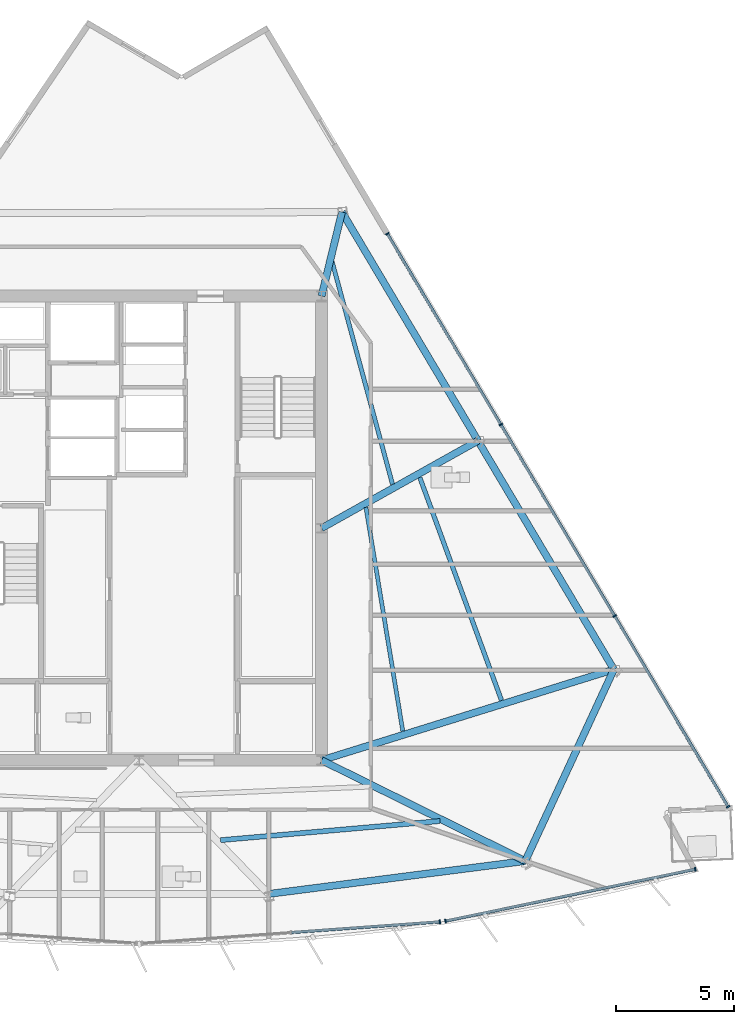
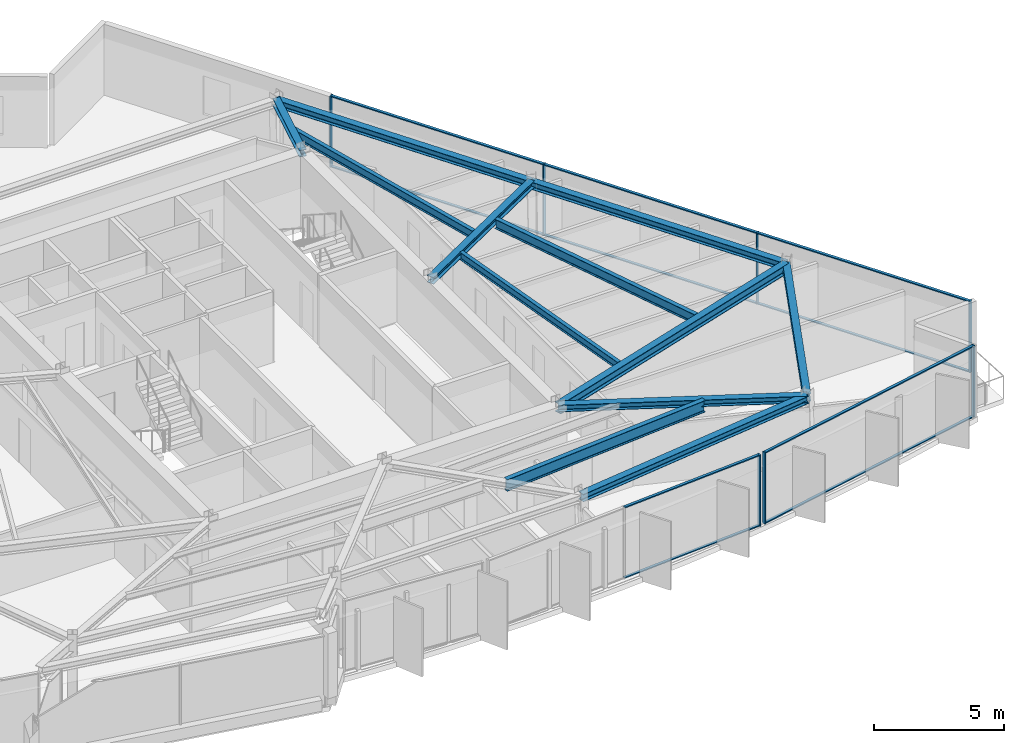
# One storey, part 5 of 14: 17 members, 12 beams, 3 elements without a shape of their own.
"""IFC4 building model written with IfcOpenShell, lengths in metres."""

from ifc_helpers import new_model, si_unit, direction, frame, origin, origin_2d, place, context, subcontext, project, spatial, rectangle, i_section, extrude, material, material_profile, profile_set, type_object, element, aggregate, save


model = new_model("IFC4")

# Units and contexts
model_context = context("Model", 3, precision=1e-05, world=origin(), true_north=direction((0.0, 1.0)))
body_context = subcontext(model_context, "Body", "Model", "MODEL_VIEW")
ifc_project = project(units=[si_unit("LENGTHUNIT", "METRE"), si_unit("AREAUNIT", "SQUARE_METRE"), si_unit("VOLUMEUNIT", "CUBIC_METRE"), si_unit("PLANEANGLEUNIT", "RADIAN"), si_unit("MASSUNIT", "GRAM", prefix="KILO")], contexts=[model_context])

# Site, building, storey
site_placement = place(None, origin())
site = spatial("IfcSite", under=ifc_project, at=site_placement, CompositionType="ELEMENT")
building_placement = place(site_placement, origin())
building = spatial("IfcBuilding", under=site, at=building_placement, Name="Savorim Split Tower", CompositionType="ELEMENT")
storey_placement = place(building_placement, frame((0.0, 0.0, 227.10009765625)))
storey = spatial("IfcBuildingStorey", under=building, at=storey_placement, Name="L60", CompositionType="ELEMENT", Elevation=227.10009765625)

# Beams
ifc_material_1 = material(Name="Steel S355", Category="steel")
ifc_material_profile_1 = material_profile(ifc_material_1, i_section(OverallWidth=0.169921875, OverallDepth=0.360107421875, WebThickness=0.008056640625, FlangeThickness=0.0126953125, FilletRadius=0.01806640625, at=origin_2d()), Name="IPE 360")
ifc_profile_set_1 = profile_set([ifc_material_profile_1], Name="Steel S355")
beam_type_1 = type_object("IfcBeamType", Name="BM-JST-IPE360", PredefinedType="JOIST", material=ifc_profile_set_1)
beam_1_placement = place(storey_placement, frame((11.13037109375, -8.16796875, 3.169921875), z_axis=(-0.162541387305, 0.98670172667, 0.0), x_axis=(-0.98670172667, -0.162541387305, 0.0)))
element("IfcBeam", 1, at=beam_1_placement, inside=storey, type_object=beam_type_1, Name="L60 Secondary Floor Joist JS-08", PredefinedType="JOIST", context=body_context, shape_type="SweptSolid", body=[
    extrude(i_section(OverallWidth=0.169921875, OverallDepth=0.360107421875, WebThickness=0.008056640625, FlangeThickness=0.0126953125, FilletRadius=0.01806640625, at=origin_2d()), origin(), (0.0, 0.0, 1.0), 9.57080078125),
])
ifc_material_profile_2 = material_profile(ifc_material_1, i_section(OverallWidth=0.179931640625, OverallDepth=0.39990234375, WebThickness=0.008544921875, FlangeThickness=0.013427734375, FilletRadius=0.02099609375, at=origin_2d()), Name="IPE 400")
ifc_profile_set_2 = profile_set([ifc_material_profile_2], Name="Steel S355")
beam_type_2 = type_object("IfcBeamType", Name="BM-JST-IPE400", PredefinedType="JOIST", material=ifc_profile_set_2)
beam_2_placement = place(storey_placement, frame((10.6953125, 2.25244140625, 3.14990234375), z_axis=(-0.261858487217, 0.965106280506, 0.0), x_axis=(-0.965106280506, -0.261858487217, 0.0)))
element("IfcBeam", 2, at=beam_2_placement, inside=storey, type_object=beam_type_2, Name="L60 Secondary Floor Joist JS-07", PredefinedType="JOIST", context=body_context, shape_type="SweptSolid", body=[
    extrude(i_section(OverallWidth=0.179931640625, OverallDepth=0.39990234375, WebThickness=0.008544921875, FlangeThickness=0.013427734375, FilletRadius=0.02099609375, at=origin_2d()), origin(), (0.0, 0.0, 1.0), 9.765380859375),
])
ifc_material_profile_3 = material_profile(ifc_material_1, i_section(OverallWidth=0.18994140625, OverallDepth=0.449951171875, WebThickness=0.009521484375, FlangeThickness=0.0146484375, FilletRadius=0.02099609375, at=origin_2d()), Name="IPE 450")
ifc_profile_set_3 = profile_set([ifc_material_profile_3], Name="Steel S355")
beam_type_3 = type_object("IfcBeamType", Name="BM-JST-IPE450", PredefinedType="JOIST", material=ifc_profile_set_3)
beam_3_placement = place(storey_placement, frame((15.298095703125, -6.871337890625, 3.125), z_axis=(-0.344159449752, 0.93891121686, 0.0), x_axis=(-0.93891121686, -0.344159449752, 0.0)))
element("IfcBeam", 3, at=beam_3_placement, inside=storey, type_object=beam_type_3, Name="L60 Secondary Floor Joist JS-06", PredefinedType="JOIST", context=body_context, shape_type="SweptSolid", body=[
    extrude(i_section(OverallWidth=0.18994140625, OverallDepth=0.449951171875, WebThickness=0.009521484375, FlangeThickness=0.0146484375, FilletRadius=0.02099609375, at=origin_2d()), origin(), (0.0, 0.0, 1.0), 10.022216796875),
])
ifc_material_profile_4 = material_profile(ifc_material_1, i_section(OverallWidth=0.2099609375, OverallDepth=0.550048828125, WebThickness=0.010986328125, FlangeThickness=0.01708984375, FilletRadius=0.02392578125, at=origin_2d()), Name="IPE 550")
ifc_profile_set_4 = profile_set([ifc_material_profile_4], Name="Steel S355")
beam_type_4 = type_object("IfcBeamType", Name="BM-JST-IPE550", PredefinedType="JOIST", material=ifc_profile_set_4)
beam_4_placement = place(storey_placement, frame((3.43701171875, -12.773193359375, 3.074951171875), z_axis=(0.996225598119, 0.086801829781, 0.0), x_axis=(-0.086801829781, 0.996225598119, 0.0)))
element("IfcBeam", 4, at=beam_4_placement, inside=storey, type_object=beam_type_4, Name="L60 Secondary Floor Joist JS-04", PredefinedType="JOIST", context=body_context, shape_type="SweptSolid", body=[
    extrude(i_section(OverallWidth=0.2099609375, OverallDepth=0.550048828125, WebThickness=0.010986328125, FlangeThickness=0.01708984375, FilletRadius=0.02392578125, at=origin_2d()), origin(), (0.0, 0.0, 1.0), 9.298583984375),
])
ifc_material_profile_5 = material_profile(ifc_material_1, i_section(OverallWidth=0.300048828125, OverallDepth=0.320068359375, WebThickness=0.011474609375, FlangeThickness=0.0205078125, FilletRadius=0.027099609375, at=origin_2d()), Name="HEB 320")
ifc_profile_set_5 = profile_set([ifc_material_profile_5], Name="Steel S355")
beam_type_5 = type_object("IfcBeamType", Name="BM-PRI-HEB320", PredefinedType="BEAM", material=ifc_profile_set_5)
beam_5_placement = place(storey_placement, frame((16.2998046875, -13.65380859375, 3.18994140625), z_axis=(-0.896337592854, 0.443372213425, 0.0), x_axis=(-0.443372213425, -0.896337592854, 0.0)))
element("IfcBeam", 5, at=beam_5_placement, inside=storey, type_object=beam_type_5, Name="L60 Primary Floor Girder RG-04", PredefinedType="BEAM", context=body_context, shape_type="SweptSolid", body=[
    extrude(i_section(OverallWidth=0.300048828125, OverallDepth=0.320068359375, WebThickness=0.011474609375, FlangeThickness=0.0205078125, FilletRadius=0.027099609375, at=origin_2d()), origin(), (0.0, 0.0, 1.0), 9.594482421875),
])
beam_6_placement = place(storey_placement, frame((14.302734375, 4.091552734375, 3.18994140625), z_axis=(-0.872838769713, -0.488008690584, 0.0), x_axis=(0.488008690584, -0.872838769713, 0.0)))
element("IfcBeam", 6, at=beam_6_placement, inside=storey, type_object=beam_type_5, Name="L60 Primary Floor Girder RG-06", PredefinedType="BEAM", context=body_context, shape_type="SweptSolid", body=[
    extrude(i_section(OverallWidth=0.300048828125, OverallDepth=0.320068359375, WebThickness=0.011474609375, FlangeThickness=0.0205078125, FilletRadius=0.027099609375, at=origin_2d()), origin(), (0.0, 0.0, 1.0), 7.564697265625),
])
beam_7_placement = place(storey_placement, frame((8.561279296875, 13.746826171875, 3.18994140625), z_axis=(-0.235982890764, -0.971757210041, 0.0), x_axis=(0.971757210041, -0.235982890764, 0.0)))
element("IfcBeam", 7, at=beam_7_placement, inside=storey, type_object=beam_type_5, Name="L60 Primary Floor Girder RG-07", PredefinedType="BEAM", context=body_context, shape_type="SweptSolid", body=[
    extrude(i_section(OverallWidth=0.300048828125, OverallDepth=0.320068359375, WebThickness=0.011474609375, FlangeThickness=0.0205078125, FilletRadius=0.027099609375, at=origin_2d()), origin(), (0.0, 0.0, 1.0), 3.64990234375),
])
ifc_material_profile_6 = material_profile(ifc_material_1, i_section(OverallWidth=0.300048828125, OverallDepth=0.449951171875, WebThickness=0.013916015625, FlangeThickness=0.02587890625, FilletRadius=0.027099609375, at=origin_2d()), Name="HEB 450")
ifc_profile_set_6 = profile_set([ifc_material_profile_6], Name="Steel S355")
beam_type_6 = type_object("IfcBeamType", Name="BM-PRI-HEB450", PredefinedType="BEAM", material=ifc_profile_set_6)
beam_8_placement = place(storey_placement, frame((20.0439453125, -5.563720703125, 3.125), z_axis=(-0.954948283444, -0.296772262767, 0.0), x_axis=(0.296772262767, -0.954948283444, 0.0)))
element("IfcBeam", 8, at=beam_8_placement, inside=storey, type_object=beam_type_6, Name="L60 Primary Floor Girder RG-05", PredefinedType="BEAM", context=body_context, shape_type="SweptSolid", body=[
    extrude(i_section(OverallWidth=0.300048828125, OverallDepth=0.449951171875, WebThickness=0.013916015625, FlangeThickness=0.02587890625, FilletRadius=0.027099609375, at=origin_2d()), origin(), (0.0, 0.0, 1.0), 12.92626953125),
])
ifc_material_profile_7 = material_profile(ifc_material_1, i_section(OverallWidth=0.300048828125, OverallDepth=0.35009765625, WebThickness=0.010009765625, FlangeThickness=0.017578125, FilletRadius=0.027099609375, at=origin_2d()), Name="HEA 360")
ifc_profile_set_7 = profile_set([ifc_material_profile_7], Name="Steel S355")
beam_type_7 = type_object("IfcBeamType", Name="BM-SPN-HEA360", PredefinedType="SPANDREL", material=ifc_profile_set_7)
beam_9_placement = place(storey_placement, frame((5.462890625, -15.045166015625, 3.1748046875), z_axis=(0.991858450228, 0.127345257904, 0.0), x_axis=(-0.127345257904, 0.991858450228, 0.0)))
element("IfcBeam", 9, at=beam_9_placement, inside=storey, type_object=beam_type_7, Name="L60 Perimeter Spandrel Beam 3", PredefinedType="SPANDREL", context=body_context, shape_type="SweptSolid", body=[
    extrude(i_section(OverallWidth=0.300048828125, OverallDepth=0.35009765625, WebThickness=0.010009765625, FlangeThickness=0.017578125, FilletRadius=0.027099609375, at=origin_2d()), origin(), (0.0, 0.0, 1.0), 10.92578125),
])
beam_10_placement = place(storey_placement, frame((16.2998046875, -13.65380859375, 3.1748046875), z_axis=(0.42000620523, 0.907521232571, 0.0), x_axis=(-0.907521232571, 0.42000620523, 0.0)))
element("IfcBeam", 10, at=beam_10_placement, inside=storey, type_object=beam_type_7, Name="L60 Perimeter Spandrel Beam 4", PredefinedType="SPANDREL", context=body_context, shape_type="SweptSolid", body=[
    extrude(i_section(OverallWidth=0.300048828125, OverallDepth=0.35009765625, WebThickness=0.010009765625, FlangeThickness=0.017578125, FilletRadius=0.027099609375, at=origin_2d()), origin(), (0.0, 0.0, 1.0), 8.91455078125),
])
beam_11_placement = place(storey_placement, frame((20.0439453125, -5.563720703125, 3.1748046875), z_axis=(-0.511091015763, 0.859526598545, 0.0), x_axis=(-0.859526598545, -0.511091015763, 0.0)))
element("IfcBeam", 11, at=beam_11_placement, inside=storey, type_object=beam_type_7, Name="L60 Perimeter Spandrel Beam 5", PredefinedType="SPANDREL", context=body_context, shape_type="SweptSolid", body=[
    extrude(i_section(OverallWidth=0.300048828125, OverallDepth=0.35009765625, WebThickness=0.010009765625, FlangeThickness=0.017578125, FilletRadius=0.027099609375, at=origin_2d()), origin(), (0.0, 0.0, 1.0), 11.233154296875),
])
beam_12_placement = place(storey_placement, frame((14.302734375, 4.091552734375, 3.1748046875), z_axis=(-0.51110707209, 0.859517050942, 0.0), x_axis=(-0.859517050942, -0.51110707209, 0.0)))
element("IfcBeam", 12, at=beam_12_placement, inside=storey, type_object=beam_type_7, Name="L60 Perimeter Spandrel Beam 6", PredefinedType="SPANDREL", context=body_context, shape_type="SweptSolid", body=[
    extrude(i_section(OverallWidth=0.300048828125, OverallDepth=0.35009765625, WebThickness=0.010009765625, FlangeThickness=0.017578125, FilletRadius=0.027099609375, at=origin_2d()), origin(), (0.0, 0.0, 1.0), 11.2333984375),
])

# Curtain wall, member
ifc_material_2 = material(Name="Dark Ceramic-Fritted Insulated Glass", Category="glass")
curtain_wall_type = type_object("IfcCurtainWallType", Name="CW-TWR-FRIT-B", PredefinedType="NOTDEFINED", material=ifc_material_2)
curtain_wall_1_placement = place(storey_placement, origin())
curtain_wall_1 = element("IfcCurtainWall", 13, at=curtain_wall_1_placement, inside=storey, type_object=curtain_wall_type, Name="L60 Curtain Wall CW-L60-SF3A", PredefinedType="NOTDEFINED")
ifc_material_3 = material(Name="Charcoal Anodised Aluminium", Category="aluminium")
ifc_material_profile_8 = material_profile(ifc_material_3, rectangle(XDim=0.159912109375, YDim=0.06005859375, at=origin_2d()), Name="ALU-M 160x60")
ifc_profile_set_8 = profile_set([ifc_material_profile_8], Name="Charcoal Anodised Aluminium")
member_type_1 = type_object("IfcMemberType", Name="CWM-160x60", PredefinedType="MULLION", material=ifc_profile_set_8)
member_1_placement = place(storey_placement, frame((12.6923828125, -16.221923828125, 0.0), z_axis=(0.0, 0.0, 1.0), x_axis=(-0.071560189997, 0.997436283282, 0.0)))
member_1 = element("IfcMember", 14, at=member_1_placement, type_object=member_type_1, Name="CW-03 mullion 3", PredefinedType="MULLION", context=body_context, shape_type="SweptSolid", body=[
    extrude(rectangle(XDim=0.159912109375, YDim=0.06005859375, at=origin_2d()), origin(), (0.0, 0.0, 1.0), 3.349853515625),
])

# Curtain wall, members
curtain_wall_2_placement = place(storey_placement, origin())
curtain_wall_2 = element("IfcCurtainWall", 15, at=curtain_wall_2_placement, inside=storey, type_object=curtain_wall_type, Name="L60 Curtain Wall CW-L60-SF4A", PredefinedType="NOTDEFINED")
member_2_placement = place(storey_placement, frame((12.933349609375, -16.1884765625, 0.0), z_axis=(0.0, 0.0, 1.0), x_axis=(-0.203214786352, 0.979134184169, 0.0)))
member_2 = element("IfcMember", 16, at=member_2_placement, type_object=member_type_1, Name="CW-03 mullion 1", PredefinedType="MULLION", context=body_context, shape_type="SweptSolid", body=[
    extrude(rectangle(XDim=0.159912109375, YDim=0.06005859375, at=origin_2d()), origin(), (0.0, 0.0, 1.0), 3.349853515625),
])
member_3_placement = place(storey_placement, frame((23.47705078125, -14.0, 0.0), z_axis=(0.0, 0.0, 1.0), x_axis=(-0.203214786352, 0.979134184169, 0.0)))
member_3 = element("IfcMember", 17, at=member_3_placement, type_object=member_type_1, Name="CW-03 mullion 2", PredefinedType="MULLION", context=body_context, shape_type="SweptSolid", body=[
    extrude(rectangle(XDim=0.159912109375, YDim=0.06005859375, at=origin_2d()), origin(), (0.0, 0.0, 1.0), 3.349853515625),
])

curtain_wall_3_placement = place(storey_placement, origin())
curtain_wall_3 = element("IfcCurtainWall", 18, at=curtain_wall_3_placement, inside=storey, type_object=curtain_wall_type, Name="L60 Curtain Wall CW-L60-EAST", PredefinedType="NOTDEFINED")
member_4_placement = place(storey_placement, frame((24.8623046875, -11.363037109375, 0.0), z_axis=(0.0, 0.0, 1.0), x_axis=(-0.859523513249, -0.51109620442, 0.0)))
member_4 = element("IfcMember", 19, at=member_4_placement, type_object=member_type_1, Name="CW-03 mullion 1", PredefinedType="MULLION", context=body_context, shape_type="SweptSolid", body=[
    extrude(rectangle(XDim=0.159912109375, YDim=0.06005859375, at=origin_2d()), origin(), (0.0, 0.0, 1.0), 3.349853515625),
])
member_5_placement = place(storey_placement, frame((20.072021484375, -3.30712890625, 0.0), z_axis=(0.0, 0.0, 1.0), x_axis=(-0.859523513249, -0.51109620442, 0.0)))
member_5 = element("IfcMember", 20, at=member_5_placement, type_object=member_type_1, Name="CW-03 mullion 2", PredefinedType="MULLION", context=body_context, shape_type="SweptSolid", body=[
    extrude(rectangle(XDim=0.159912109375, YDim=0.06005859375, at=origin_2d()), origin(), (0.0, 0.0, 1.0), 3.349853515625),
])
member_6_placement = place(storey_placement, frame((15.266357421875, 4.7744140625, 0.0), z_axis=(0.0, 0.0, 1.0), x_axis=(-0.859523513249, -0.51109620442, 0.0)))
member_6 = element("IfcMember", 21, at=member_6_placement, type_object=member_type_1, Name="CW-03 mullion 3", PredefinedType="MULLION", context=body_context, shape_type="SweptSolid", body=[
    extrude(rectangle(XDim=0.159912109375, YDim=0.06005859375, at=origin_2d()), origin(), (0.0, 0.0, 1.0), 3.349853515625),
])
member_7_placement = place(storey_placement, frame((10.47607421875, 12.830322265625, 0.0), z_axis=(0.0, 0.0, 1.0), x_axis=(-0.859523513249, -0.51109620442, 0.0)))
member_7 = element("IfcMember", 22, at=member_7_placement, type_object=member_type_1, Name="CW-03 mullion 4", PredefinedType="MULLION", context=body_context, shape_type="SweptSolid", body=[
    extrude(rectangle(XDim=0.159912109375, YDim=0.06005859375, at=origin_2d()), origin(), (0.0, 0.0, 1.0), 3.349853515625),
])

# Member
ifc_material_profile_9 = material_profile(ifc_material_3, rectangle(XDim=0.1201171875, YDim=0.050048828125, at=origin_2d()), Name="ALU-T 120x50")
ifc_profile_set_9 = profile_set([ifc_material_profile_9], Name="Charcoal Anodised Aluminium")
member_type_2 = type_object("IfcMemberType", Name="CWT-120x50", PredefinedType="USERDEFINED", material=ifc_profile_set_9)
member_8_placement = place(storey_placement, frame((6.4365234375, -16.670654296875, 0.02490234375), z_axis=(0.99743780974, 0.071538910396, 0.0), x_axis=(-0.071538910396, 0.99743780974, 0.0)))
member_8 = element("IfcMember", 23, at=member_8_placement, type_object=member_type_2, Name="CW-03 transom 2.1", ObjectType="TRANSOM", PredefinedType="USERDEFINED", context=body_context, shape_type="SweptSolid", body=[
    extrude(rectangle(XDim=0.1201171875, YDim=0.050048828125, at=origin_2d()), origin(), (0.0, 0.0, 1.0), 6.241943359375),
])

member_9_placement = place(storey_placement, frame((6.4365234375, -16.670654296875, 3.324951171875), z_axis=(0.99743780974, 0.071538910396, 0.0), x_axis=(-0.071538910396, 0.99743780974, 0.0)))
member_9 = element("IfcMember", 24, at=member_9_placement, type_object=member_type_2, Name="CW-03 transom 2.2", ObjectType="TRANSOM", PredefinedType="USERDEFINED", context=body_context, shape_type="SweptSolid", body=[
    extrude(rectangle(XDim=0.1201171875, YDim=0.050048828125, at=origin_2d()), origin(), (0.0, 0.0, 1.0), 6.241943359375),
])

aggregate(curtain_wall_1, [member_1, member_8, member_9])

member_10_placement = place(storey_placement, frame((12.962646484375, -16.182373046875, 0.02490234375), z_axis=(0.979131697612, 0.203226766771, 0.0), x_axis=(-0.203226766771, 0.979131697612, 0.0)))
member_10 = element("IfcMember", 25, at=member_10_placement, type_object=member_type_2, Name="CW-03 transom 1.1", ObjectType="TRANSOM", PredefinedType="USERDEFINED", context=body_context, shape_type="SweptSolid", body=[
    extrude(rectangle(XDim=0.1201171875, YDim=0.050048828125, at=origin_2d()), origin(), (0.0, 0.0, 1.0), 10.70849609375),
])

member_11_placement = place(storey_placement, frame((12.962646484375, -16.182373046875, 3.324951171875), z_axis=(0.979131697612, 0.203226766771, 0.0), x_axis=(-0.203226766771, 0.979131697612, 0.0)))
member_11 = element("IfcMember", 26, at=member_11_placement, type_object=member_type_2, Name="CW-03 transom 1.2", ObjectType="TRANSOM", PredefinedType="USERDEFINED", context=body_context, shape_type="SweptSolid", body=[
    extrude(rectangle(XDim=0.1201171875, YDim=0.050048828125, at=origin_2d()), origin(), (0.0, 0.0, 1.0), 10.70849609375),
])

aggregate(curtain_wall_2, [member_2, member_3, member_10, member_11])

member_12_placement = place(storey_placement, frame((24.846923828125, -11.33740234375, 0.02490234375), z_axis=(-0.511087432816, 0.859528729024, 0.0), x_axis=(-0.859528729024, -0.511087432816, 0.0)))
member_12 = element("IfcMember", 27, at=member_12_placement, type_object=member_type_2, Name="CW-03 transom 1.1", ObjectType="TRANSOM", PredefinedType="USERDEFINED", context=body_context, shape_type="SweptSolid", body=[
    extrude(rectangle(XDim=0.1201171875, YDim=0.050048828125, at=origin_2d()), origin(), (0.0, 0.0, 1.0), 9.3125),
])

member_13_placement = place(storey_placement, frame((24.846923828125, -11.33740234375, 3.324951171875), z_axis=(-0.511087432816, 0.859528729024, 0.0), x_axis=(-0.859528729024, -0.511087432816, 0.0)))
member_13 = element("IfcMember", 28, at=member_13_placement, type_object=member_type_2, Name="CW-03 transom 1.2", ObjectType="TRANSOM", PredefinedType="USERDEFINED", context=body_context, shape_type="SweptSolid", body=[
    extrude(rectangle(XDim=0.1201171875, YDim=0.050048828125, at=origin_2d()), origin(), (0.0, 0.0, 1.0), 9.3125),
])

member_14_placement = place(storey_placement, frame((20.056640625, -3.281494140625, 0.02490234375), z_axis=(-0.511086872234, 0.859529062354, 0.0), x_axis=(-0.859529062354, -0.511086872234, 0.0)))
member_14 = element("IfcMember", 29, at=member_14_placement, type_object=member_type_2, Name="CW-03 transom 2.1", ObjectType="TRANSOM", PredefinedType="USERDEFINED", context=body_context, shape_type="SweptSolid", body=[
    extrude(rectangle(XDim=0.1201171875, YDim=0.050048828125, at=origin_2d()), origin(), (0.0, 0.0, 1.0), 9.342529296875),
])

member_15_placement = place(storey_placement, frame((20.056640625, -3.281494140625, 3.324951171875), z_axis=(-0.511086872234, 0.859529062354, 0.0), x_axis=(-0.859529062354, -0.511086872234, 0.0)))
member_15 = element("IfcMember", 30, at=member_15_placement, type_object=member_type_2, Name="CW-03 transom 2.2", ObjectType="TRANSOM", PredefinedType="USERDEFINED", context=body_context, shape_type="SweptSolid", body=[
    extrude(rectangle(XDim=0.1201171875, YDim=0.050048828125, at=origin_2d()), origin(), (0.0, 0.0, 1.0), 9.342529296875),
])

member_16_placement = place(storey_placement, frame((15.2509765625, 4.80029296875, 0.02490234375), z_axis=(-0.511087432816, 0.859528729024, 0.0), x_axis=(-0.859528729024, -0.511087432816, 0.0)))
member_16 = element("IfcMember", 31, at=member_16_placement, type_object=member_type_2, Name="CW-03 transom 3.1", ObjectType="TRANSOM", PredefinedType="USERDEFINED", context=body_context, shape_type="SweptSolid", body=[
    extrude(rectangle(XDim=0.1201171875, YDim=0.050048828125, at=origin_2d()), origin(), (0.0, 0.0, 1.0), 9.3125),
])

member_17_placement = place(storey_placement, frame((15.2509765625, 4.80029296875, 3.324951171875), z_axis=(-0.511087432816, 0.859528729024, 0.0), x_axis=(-0.859528729024, -0.511087432816, 0.0)))
member_17 = element("IfcMember", 32, at=member_17_placement, type_object=member_type_2, Name="CW-03 transom 3.2", ObjectType="TRANSOM", PredefinedType="USERDEFINED", context=body_context, shape_type="SweptSolid", body=[
    extrude(rectangle(XDim=0.1201171875, YDim=0.050048828125, at=origin_2d()), origin(), (0.0, 0.0, 1.0), 9.3125),
])

aggregate(curtain_wall_3, [member_4, member_5, member_6, member_7, member_12, member_13, member_14, member_15, member_16, member_17])

save(model, "model.ifc")
